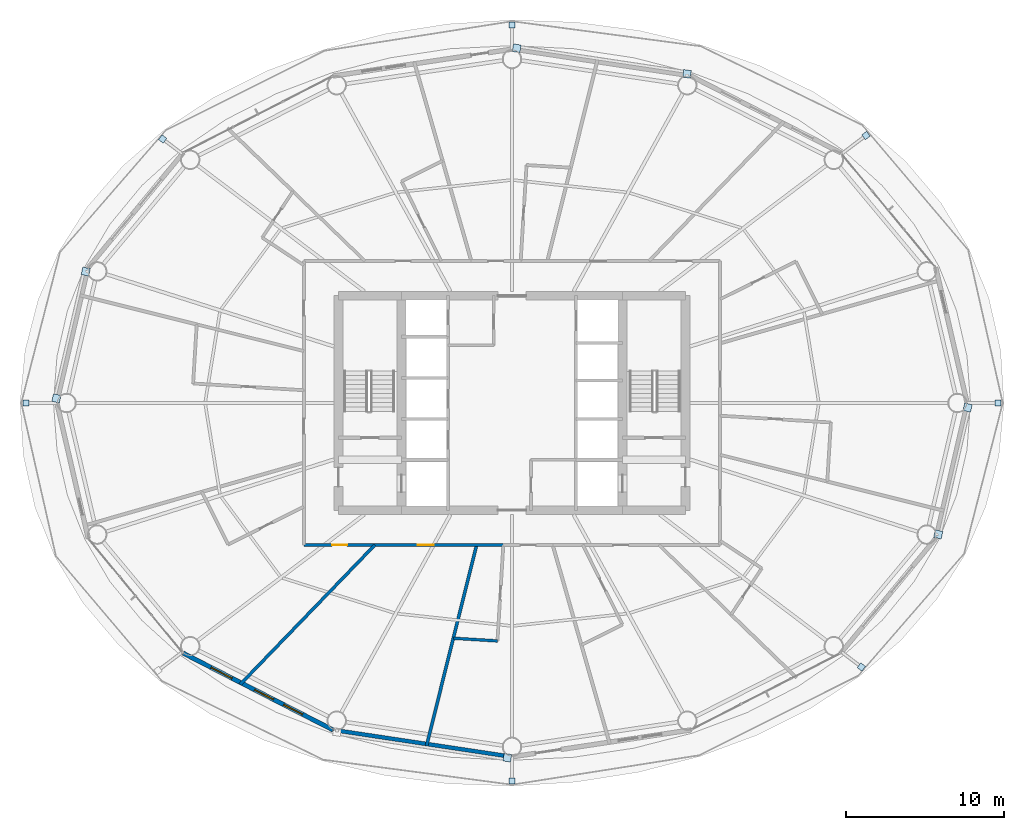
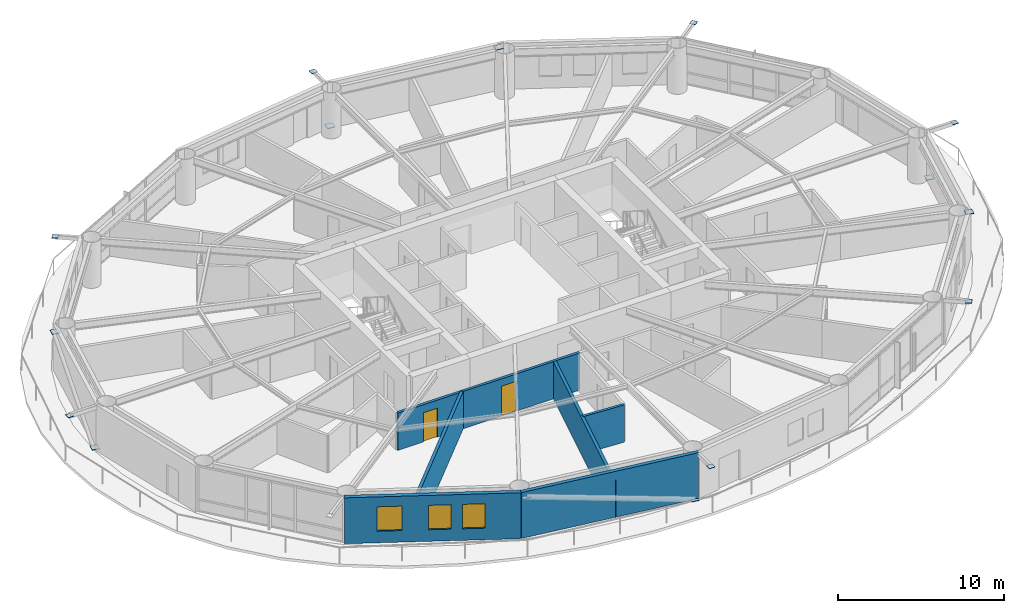
# One storey, part 17 of 24: 14 plates, 6 walls, 3 windows, 2 doors, 5 openings.
"""IFC4 building model written with IfcOpenShell, lengths in metres."""

import ifcopenshell
import ifcopenshell.guid

model = None  # the IFC model being written
_history = None  # IfcOwnerHistory: only IFC2X3 demands one
_inside = {}  # id of a spatial element -> (the spatial element, [elements in it])
_under = {}  # id of a project, library or spatial element -> (it, [spatial elements below it])
_declared = {}  # id of a project -> (the project, [libraries it declares])
_typed = {}  # id of a type object -> (the type object, [elements of that type])
_made_of = {}  # id of a material, layer set ... -> (it, [elements and type objects made of it])


def new_model(schema):
    """Start an empty IFC model of exactly this schema.

    Asked for "IFC4X3", IfcOpenShell would pick the latest addendum, in which some entities
    have other attributes; the version numbers below select the first issue.
    IFC2X3 requires an IfcOwnerHistory on every rooted entity: one is made here for all.
    """
    global model, _history
    if schema == "IFC4X3":
        model = ifcopenshell.file(schema_version=(4, 3, 0, 0))
    else:
        model = ifcopenshell.file(schema=schema)
    _inside.clear()
    _under.clear()
    _declared.clear()
    _typed.clear()
    _made_of.clear()
    _history = None
    if model.schema == "IFC2X3":
        org = make("IfcOrganization", Name="unknown")
        user = make(
            "IfcPersonAndOrganization",
            ThePerson=make("IfcPerson", FamilyName="unknown"),
            TheOrganization=org,
        )
        app = make(
            "IfcApplication",
            ApplicationDeveloper=org,
            Version="unknown",
            ApplicationFullName="unknown",
            ApplicationIdentifier="unknown",
        )
        _history = make(
            "IfcOwnerHistory",
            OwningUser=user,
            OwningApplication=app,
            ChangeAction="ADDED",
            CreationDate=0,
        )
    return model


def make(cls, **values):
    """One entity of the class cls with the attributes given. An attribute that is None is left unset."""
    return model.create_entity(
        cls, **{name: value for name, value in values.items() if value is not None}
    )


def rooted(cls, **values):
    """An entity with a GlobalId (a new one), such as an element, a storey or a relation."""
    return make(cls, GlobalId=ifcopenshell.guid.new(), OwnerHistory=_history, **values)


def si_unit(unit_type, name, prefix=None):
    """IfcSIUnit, for example si_unit("LENGTHUNIT", "METRE", prefix="MILLI")."""
    return make("IfcSIUnit", UnitType=unit_type, Prefix=prefix, Name=name)


def assignment(units):
    """IfcUnitAssignment: the units of a project."""
    return None if units is None else make("IfcUnitAssignment", Units=units)


def point(xyz):
    """IfcCartesianPoint."""
    return None if xyz is None else make("IfcCartesianPoint", Coordinates=xyz)


def direction(xyz):
    """IfcDirection."""
    return None if xyz is None else make("IfcDirection", DirectionRatios=xyz)


def frame(location, z_axis=None, x_axis=None):
    """IfcAxis2Placement3D, a coordinate frame: its origin and axes. An axis left out is left unset."""
    return make(
        "IfcAxis2Placement3D",
        Location=point(location),
        Axis=direction(z_axis),
        RefDirection=direction(x_axis),
    )


def frame_2d(location, x_axis=None):
    """IfcAxis2Placement2D, a coordinate frame in the plane: its origin and x axis."""
    return make(
        "IfcAxis2Placement2D", Location=point(location), RefDirection=direction(x_axis)
    )


def origin():
    """The frame at (0, 0, 0) with its axes left unset."""
    return frame((0.0, 0.0, 0.0))


def origin_2d():
    """The frame at (0, 0) in the plane with its x axis left unset."""
    return frame_2d((0.0, 0.0))


def place(relative_to, where):
    """IfcLocalPlacement: puts the frame where relative to a parent placement (None: the world)."""
    return make(
        "IfcLocalPlacement", PlacementRelTo=relative_to, RelativePlacement=where
    )


def context(
    kind, dimensions, precision=None, world=None, true_north=None, identifier=None
):
    """IfcGeometricRepresentationContext, for example the 3D "Model" context."""
    return make(
        "IfcGeometricRepresentationContext",
        ContextIdentifier=identifier,
        ContextType=kind,
        CoordinateSpaceDimension=dimensions,
        Precision=precision,
        WorldCoordinateSystem=world,
        TrueNorth=true_north,
    )


def subcontext(parent, identifier, kind, view, scale=None):
    """IfcGeometricRepresentationSubContext, for example "Body" below "Model"."""
    return make(
        "IfcGeometricRepresentationSubContext",
        ContextIdentifier=identifier,
        ContextType=kind,
        ParentContext=parent,
        TargetScale=scale,
        TargetView=view,
    )


def project(units=None, contexts=None):
    """IfcProject with its units and contexts."""
    return rooted(
        "IfcProject",
        Name="project",
        RepresentationContexts=contexts,
        UnitsInContext=assignment(units),
    )


def spatial(cls, under=None, at=None, **own):
    """A site, building, storey or space (cls), placed at a placement, below another one or the project."""
    s = rooted(cls, ObjectPlacement=at, **own)
    if under is not None:
        _under.setdefault(under.id(), (under, []))[1].append(s)
    return s


def profile(cls, at=None, kind="AREA", **sizes):
    """A parametric profile (cls). Its sizes go by their IFC names, for example OverallWidth=200.0."""
    return make(cls, ProfileType=kind, Position=at, **sizes)


def rectangle(**sizes):
    """IfcRectangleProfileDef."""
    return profile("IfcRectangleProfileDef", **sizes)


def extrude(swept, where, along, depth):
    """IfcExtrudedAreaSolid: the profile swept, set in the frame where, extruded along a direction by depth."""
    return make(
        "IfcExtrudedAreaSolid",
        SweptArea=swept,
        Position=where,
        ExtrudedDirection=direction(along),
        Depth=depth,
    )


def shape(context_of_items, identifier, shape_type, items):
    """IfcShapeRepresentation: the items that make up one representation, for example the "Body"."""
    return make(
        "IfcShapeRepresentation",
        ContextOfItems=context_of_items,
        RepresentationIdentifier=identifier,
        RepresentationType=shape_type,
        Items=items,
    )


def material(Name=None, Category=None):
    """IfcMaterial."""
    return make("IfcMaterial", Name=Name, Category=Category)


def layer(
    of_material, thickness, ventilated=None, Name=None, Category=None, Priority=None
):
    """IfcMaterialLayer: one layer of a wall or slab, of a material (None: an air gap)."""
    return make(
        "IfcMaterialLayer",
        Material=of_material,
        LayerThickness=thickness,
        IsVentilated=ventilated,
        Name=Name,
        Category=Category,
        Priority=Priority,
    )


def layer_set(layers, Name=None):
    """IfcMaterialLayerSet."""
    return make("IfcMaterialLayerSet", MaterialLayers=layers, LayerSetName=Name)


def made_of(thing, what):
    """Note that an element or type object is made of a material, layer set ...; save() writes the relation."""
    if what is not None:
        _made_of.setdefault(what.id(), (what, []))[1].append(thing)
    return thing


def type_object(cls, material=None, **own):
    """A type object (cls), such as IfcWallType, which elements share."""
    return made_of(rooted(cls, **own), material)


def element(
    cls,
    number,
    at=None,
    inside=None,
    cuts=None,
    type_object=None,
    material=None,
    context=None,
    identifier="Body",
    shape_type=None,
    held_by="IfcProductDefinitionShape",
    body=None,
    shapes=None,
    **own,
):
    """One element of the class cls, such as IfcWall. Its Tag is "e" and its number.

    at: its placement. inside: the storey or other place that contains it. cuts: it is an
    opening in that element (IfcRelVoidsElement). A single representation is given by context,
    identifier, shape_type and body (its items); several are given by shapes. held_by: the class
    of the entity that holds the representations. save() writes the other relations.
    """
    e = rooted(cls, Tag="e%d" % number, ObjectPlacement=at, **own)
    if body is not None:
        shapes = [shape(context, identifier, shape_type, body)]
    if shapes is not None:
        e.Representation = make(held_by, Representations=shapes)
    if inside is not None:
        _inside.setdefault(inside.id(), (inside, []))[1].append(e)
    if cuts is not None:
        rooted(
            "IfcRelVoidsElement", RelatingBuildingElement=cuts, RelatedOpeningElement=e
        )
    if type_object is not None:
        _typed.setdefault(type_object.id(), (type_object, []))[1].append(e)
    return made_of(e, material)


def fill(opening, filler):
    """IfcRelFillsElement: the door or window that sits in an opening."""
    return rooted(
        "IfcRelFillsElement",
        RelatingOpeningElement=opening,
        RelatedBuildingElement=filler,
    )


def aggregate(whole, parts):
    """IfcRelAggregates: a whole, such as a stair, and the parts it consists of."""
    return rooted("IfcRelAggregates", RelatingObject=whole, RelatedObjects=parts)


def save(model, path):
    """Write the relations noted so far, then the file.

    IfcRelAggregates (storeys below a building ...), IfcRelContainedInSpatialStructure (elements
    in a storey), IfcRelDefinesByType, IfcRelAssociatesMaterial and IfcRelDeclares: one each for
    every whole, place, type object, material and project.
    """
    for whole, parts in _under.values():
        aggregate(whole, parts)
    for where, things in _inside.values():
        rooted(
            "IfcRelContainedInSpatialStructure",
            RelatedElements=things,
            RelatingStructure=where,
        )
    for kind, things in _typed.values():
        rooted("IfcRelDefinesByType", RelatedObjects=things, RelatingType=kind)
    for what, things in _made_of.values():
        rooted("IfcRelAssociatesMaterial", RelatedObjects=things, RelatingMaterial=what)
    for by, libraries in _declared.values():
        rooted("IfcRelDeclares", RelatingContext=by, RelatedDefinitions=libraries)
    model.write(path)


model = new_model("IFC4")

# Units and contexts
model_context = context("Model", 3, precision=1e-05, world=origin(), true_north=direction((0.0, 1.0)))
body_context = subcontext(model_context, "Body", "Model", "MODEL_VIEW")
ifc_project = project(units=[si_unit("LENGTHUNIT", "METRE"), si_unit("AREAUNIT", "SQUARE_METRE"), si_unit("VOLUMEUNIT", "CUBIC_METRE"), si_unit("PLANEANGLEUNIT", "RADIAN"), si_unit("MASSUNIT", "GRAM", prefix="KILO")], contexts=[model_context])

# Site, building, storey
site_placement = place(None, origin())
site = spatial("IfcSite", under=ifc_project, at=site_placement, CompositionType="ELEMENT")
building_placement = place(site_placement, origin())
building = spatial("IfcBuilding", under=site, at=building_placement, Name="Sarneth Arch Tower", CompositionType="ELEMENT")
storey_placement = place(building_placement, frame((0.0, 0.0, 102.0)))
storey = spatial("IfcBuildingStorey", under=building, at=storey_placement, Name="L25", CompositionType="ELEMENT", Elevation=102.0)

# Plates
ifc_material_1 = material(Name="Steel S355", Category="steel")
ifc_layer_1 = layer(ifc_material_1, 0.035888671875)
ifc_layer_set_1 = layer_set([ifc_layer_1], Name="Steel S355")
plate_type = type_object("IfcPlateType", Name="PLT-GUSSET-30", PredefinedType="SHEET", material=ifc_layer_set_1)
for number, where, z_axis, x_axis, name in (
    (1, (78.81591796875, 42.0, 3.2021484375), (0.0, 0.0, 1.0), (1.0, 0.0, 0.0), "Steel end cap plate GP-1"),
    (2, (70.439208984375, 58.957763671875, 3.2021484375), (0.0, 0.0, 1.0), (0.797794439539, 0.602929541689, 0.0), "Steel end cap plate GP-1"),
):
    element("IfcPlate", number, at=place(storey_placement, frame(where, z_axis=z_axis, x_axis=x_axis)), inside=storey, type_object=plate_type, Name=name, PredefinedType="SHEET", context=body_context, shape_type="SweptSolid", body=[
        extrude(rectangle(XDim=0.3798828125, YDim=0.3798828125, at=origin_2d()), origin(), (0.0, 0.0, 1.0), 0.035888671875),
    ])
for number, where, z_axis, x_axis, name in (
    (3, (48.296630859375, 64.4853515625, 0.001953125), (0.0, 0.0, 1.0), (-0.988860535448, 0.148845024885, 0.0), "Steel end cap plate GP-1"),
    (4, (59.0927734375, 62.859619140625, 2.99462890625), (0.0, 0.0, 1.0), (-0.988860535448, 0.148845024885, 0.0), "Steel end cap plate GP-1"),
):
    element("IfcPlate", number, at=place(storey_placement, frame(where, z_axis=z_axis, x_axis=x_axis)), inside=storey, type_object=plate_type, Name=name, PredefinedType="SHEET", context=body_context, shape_type="SweptSolid", body=[
        extrude(rectangle(XDim=0.486083984375, YDim=0.486083984375, at=origin_2d()), origin(), (0.0, 0.0, 1.0), 0.035888671875),
    ])
for number, where, z_axis, x_axis, name in (
    (5, (48.0, 65.970703125, 3.2021484375), (0.0, 0.0, 1.0), (0.0, 1.0, 0.0), "Steel end cap plate GP-1"),
    (6, (25.854248046875, 58.73583984375, 3.2021484375), (0.0, 0.0, 1.0), (-0.797794439539, 0.602929541689, 0.0), "Steel end cap plate GP-1"),
):
    element("IfcPlate", number, at=place(storey_placement, frame(where, z_axis=z_axis, x_axis=x_axis)), inside=storey, type_object=plate_type, Name=name, PredefinedType="SHEET", context=body_context, shape_type="SweptSolid", body=[
        extrude(rectangle(XDim=0.3798828125, YDim=0.3798828125, at=origin_2d()), origin(), (0.0, 0.0, 1.0), 0.035888671875),
    ])
for number, where, z_axis, x_axis, name in (
    (7, (19.121337890625, 42.292236328125, 0.001953125), (0.0, 0.0, 1.0), (-0.225291159947, -0.974291482694, 0.0), "Steel end cap plate GP-1"),
    (8, (20.98046875, 50.32958984375, 2.99462890625), (0.0, 0.0, 1.0), (-0.225291159947, -0.974291482694, 0.0), "Steel end cap plate GP-1"),
):
    element("IfcPlate", number, at=place(storey_placement, frame(where, z_axis=z_axis, x_axis=x_axis)), inside=storey, type_object=plate_type, Name=name, PredefinedType="SHEET", context=body_context, shape_type="SweptSolid", body=[
        extrude(rectangle(XDim=0.486083984375, YDim=0.486083984375, at=origin_2d()), origin(), (0.0, 0.0, 1.0), 0.035888671875),
    ])
plate_1_placement = place(storey_placement, frame((17.18408203125, 42.0, 3.2021484375), z_axis=(0.0, 0.0, 1.0), x_axis=(-1.0, 0.0, 0.0)))
element("IfcPlate", 9, at=plate_1_placement, inside=storey, type_object=plate_type, Name="Steel end cap plate GP-1", PredefinedType="SHEET", context=body_context, shape_type="SweptSolid", body=[
    extrude(rectangle(XDim=0.3798828125, YDim=0.3798828125, at=origin_2d()), origin(), (0.0, 0.0, 1.0), 0.035888671875),
])
plate_2_placement = place(storey_placement, frame((47.703369140625, 19.5146484375, 0.001953125), z_axis=(0.0, 0.0, 1.0), x_axis=(0.988860535448, -0.148845024885, 0.0)))
element("IfcPlate", 10, at=plate_2_placement, inside=storey, type_object=plate_type, Name="Steel end cap plate GP-1", PredefinedType="SHEET", context=body_context, shape_type="SweptSolid", body=[
    extrude(rectangle(XDim=0.486083984375, YDim=0.486083984375, at=origin_2d()), origin(), (0.0, 0.0, 1.0), 0.035888671875),
])
for number, where, z_axis, x_axis, name in (
    (11, (48.0, 18.029296875, 3.2021484375), (0.0, 0.0, 1.0), (0.0, -1.0, 0.0), "Steel end cap plate GP-1"),
    (12, (70.145751953125, 25.26416015625, 3.2021484375), (0.0, 0.0, 1.0), (0.797794439539, -0.602929541689, 0.0), "Steel end cap plate GP-1"),
):
    element("IfcPlate", number, at=place(storey_placement, frame(where, z_axis=z_axis, x_axis=x_axis)), inside=storey, type_object=plate_type, Name=name, PredefinedType="SHEET", context=body_context, shape_type="SweptSolid", body=[
        extrude(rectangle(XDim=0.3798828125, YDim=0.3798828125, at=origin_2d()), origin(), (0.0, 0.0, 1.0), 0.035888671875),
    ])
for number, where, z_axis, x_axis, name in (
    (13, (76.878662109375, 41.707763671875, 0.001953125), (0.0, 0.0, 1.0), (0.225291159947, 0.974291482694, 0.0), "Steel end cap plate GP-1"),
    (14, (75.01953125, 33.67041015625, 2.99462890625), (0.0, 0.0, 1.0), (0.225291159947, 0.974291482694, 0.0), "Steel end cap plate GP-1"),
):
    element("IfcPlate", number, at=place(storey_placement, frame(where, z_axis=z_axis, x_axis=x_axis)), inside=storey, type_object=plate_type, Name=name, PredefinedType="SHEET", context=body_context, shape_type="SweptSolid", body=[
        extrude(rectangle(XDim=0.486083984375, YDim=0.486083984375, at=origin_2d()), origin(), (0.0, 0.0, 1.0), 0.035888671875),
    ])

# Wall, openings, doors
ifc_material_2 = material(Name="Double steel-stud corridor fire wall", Category="steel")
ifc_layer_2 = layer(ifc_material_2, 0.18994140625)
ifc_layer_set_2 = layer_set([ifc_layer_2], Name="Double steel-stud corridor fire wall")
wall_type_1 = type_object("IfcWallType", Name="WALL-CORR-190", PredefinedType="PARTITIONING", material=ifc_layer_set_2)
wall_1_placement = place(storey_placement, frame((47.481689453125, 33.0, 0.0), z_axis=(0.0, 0.0, 1.0), x_axis=(-1.0, 0.0, 0.0)))
wall_1 = element("IfcWall", 15, at=wall_1_placement, inside=storey, type_object=wall_type_1, Name="L25 Interior partition W-L25-TP-017", PredefinedType="PARTITIONING", context=body_context, shape_type="SweptSolid", body=[
    extrude(rectangle(XDim=12.681640625, YDim=0.18994140625, at=frame_2d((6.3408203125, 0.0))), origin(), (0.0, 0.0, 1.0), 2.739990234375),
])
opening_1_placement = place(wall_1_placement, frame((4.455078125, 0.0, 0.0)))
opening_1 = element("IfcOpeningElement", 16, at=opening_1_placement, cuts=wall_1, Name="Opening FD-08", PredefinedType="OPENING", context=body_context, shape_type="SweptSolid", body=[
    extrude(rectangle(XDim=1.0, YDim=2.199951171875, at=frame_2d((0.5, 1.10009765625))), frame((0.0, 0.10498046875, 0.0), z_axis=(0.0, -1.0, 0.0), x_axis=(1.0, 0.0, 0.0)), (0.0, 0.0, 1.0), 0.2099609375),
])
opening_2_placement = place(wall_1_placement, frame((9.929931640625, 0.0, 0.0)))
opening_2 = element("IfcOpeningElement", 17, at=opening_2_placement, cuts=wall_1, Name="Opening FD-09", PredefinedType="OPENING", context=body_context, shape_type="SweptSolid", body=[
    extrude(rectangle(XDim=0.949951171875, YDim=2.14990234375, at=frame_2d((0.47509765625, 1.074951171875))), frame((0.0, 0.10498046875, 0.0), z_axis=(0.0, -1.0, 0.0), x_axis=(1.0, 0.0, 0.0)), (0.0, 0.0, 1.0), 0.2099609375),
])
ifc_material_3 = material(Name="Hardwood timber acoustic fire door", Category="wood")
door_type_1 = type_object("IfcDoorType", Name="DR-FD60-1000", OperationType="SINGLE_SWING_LEFT", PredefinedType="DOOR", material=ifc_material_3)
door_1_placement = place(opening_1_placement, origin())
door_1 = element("IfcDoor", 18, at=door_1_placement, inside=storey, type_object=door_type_1, Name="L25 Interior door DR-L25-AMN-08", OperationType="SINGLE_SWING_LEFT", OverallHeight=2.199951171875, OverallWidth=1.0, PredefinedType="DOOR", context=body_context, shape_type="SweptSolid", body=[
    extrude(rectangle(XDim=1.0, YDim=2.199951171875, at=frame_2d((0.5, 1.10009765625))), frame((0.0, 0.02490234375, 0.0), z_axis=(0.0, -1.0, 0.0), x_axis=(1.0, 0.0, 0.0)), (0.0, 0.0, 1.0), 0.050048828125),
])
fill(opening_1, door_1)
ifc_material_4 = material(Name="Hardwood timber hotel entrance fire door", Category="wood")
door_type_2 = type_object("IfcDoorType", Name="DR-FD60-950", OperationType="SINGLE_SWING_RIGHT", PredefinedType="DOOR", material=ifc_material_4)
door_2_placement = place(opening_2_placement, origin())
door_2 = element("IfcDoor", 19, at=door_2_placement, inside=storey, type_object=door_type_2, Name="L25 Interior door DR-L25-KEY-07", OperationType="SINGLE_SWING_RIGHT", OverallHeight=2.14990234375, OverallWidth=0.949951171875, PredefinedType="DOOR", context=body_context, shape_type="SweptSolid", body=[
    extrude(rectangle(XDim=0.949951171875, YDim=2.14990234375, at=frame_2d((0.47509765625, 1.074951171875))), frame((0.0, 0.02490234375, 0.0), z_axis=(0.0, -1.0, 0.0), x_axis=(1.0, 0.0, 0.0)), (0.0, 0.0, 1.0), 0.050048828125),
])
fill(opening_2, door_2)

# Wall
ifc_material_5 = material(Name="Extruded terracotta rainscreen on Concrete C40/50 backing", Category="masonry")
ifc_layer_3 = layer(ifc_material_5, 0.25)
ifc_layer_set_3 = layer_set([ifc_layer_3], Name="Extruded terracotta rainscreen on Concrete C40/50 backing")
wall_type_2 = type_object("IfcWallType", Name="WALL-EXT-SPAND-250", PredefinedType="SOLIDWALL", material=ifc_layer_set_3)
wall_2_placement = place(storey_placement, frame((36.648681640625, 21.27734375, 0.0), z_axis=(0.0, 0.0, 1.0), x_axis=(0.988877774656, -0.148730450117, 0.0)))
element("IfcWall", 20, at=wall_2_placement, inside=storey, type_object=wall_type_2, Name="L25 Terracotta perimeter wall 12", PredefinedType="SOLIDWALL", context=body_context, shape_type="SweptSolid", body=[
    extrude(rectangle(XDim=11.47900390625, YDim=0.25, at=frame_2d((5.739501953125, 0.0))), origin(), (0.0, 0.0, 1.0), 3.3798828125),
])

# Wall, openings, windows
ifc_material_6 = material(Name="Extruded terracotta rainscreen on Concrete C40/50 backing", Category="masonry")
ifc_layer_4 = layer(ifc_material_6, 0.280029296875)
ifc_layer_set_4 = layer_set([ifc_layer_4], Name="Extruded terracotta rainscreen on Concrete C40/50 backing")
wall_type_3 = type_object("IfcWallType", Name="WALL-EXT-TERRA-280", PredefinedType="SOLIDWALL", material=ifc_layer_set_4)
wall_3_placement = place(storey_placement, frame((27.159912109375, 26.1396484375, 0.0), z_axis=(0.0, 0.0, 1.0), x_axis=(0.889959505023, -0.45603955905, 0.0)))
wall_3 = element("IfcWall", 21, at=wall_3_placement, inside=storey, type_object=wall_type_3, Name="L25 Terracotta perimeter wall 11", PredefinedType="SOLIDWALL", context=body_context, shape_type="SweptSolid", body=[
    extrude(rectangle(XDim=10.662109375, YDim=0.280029296875, at=frame_2d((5.3310546875, 0.0))), origin(), (0.0, 0.0, 1.0), 3.3798828125),
])
opening_3_placement = place(wall_3_placement, frame((1.978759765625, 0.0, 0.85009765625)))
opening_3 = element("IfcOpeningElement", 22, at=opening_3_placement, cuts=wall_3, Name="Opening W-07", PredefinedType="OPENING", context=body_context, shape_type="SweptSolid", body=[
    extrude(rectangle(XDim=1.5, YDim=1.800048828125, at=frame_2d((0.75, 0.89990234375))), frame((0.0, 0.14990234375, 0.0), z_axis=(0.0, -1.0, 0.0), x_axis=(1.0, 0.0, 0.0)), (0.0, 0.0, 1.0), 0.300048828125),
])
opening_4_placement = place(wall_3_placement, frame((5.081787109375, 0.0, 0.85009765625)))
opening_4 = element("IfcOpeningElement", 23, at=opening_4_placement, cuts=wall_3, Name="Opening W-08", PredefinedType="OPENING", context=body_context, shape_type="SweptSolid", body=[
    extrude(rectangle(XDim=1.35009765625, YDim=1.800048828125, at=frame_2d((0.675048828125, 0.89990234375))), frame((0.0, 0.14990234375, 0.0), z_axis=(0.0, -1.0, 0.0), x_axis=(1.0, 0.0, 0.0)), (0.0, 0.0, 1.0), 0.300048828125),
])
opening_5_placement = place(wall_3_placement, frame((7.146484375, 0.0, 0.85009765625)))
opening_5 = element("IfcOpeningElement", 24, at=opening_5_placement, cuts=wall_3, Name="Opening W-08", PredefinedType="OPENING", context=body_context, shape_type="SweptSolid", body=[
    extrude(rectangle(XDim=1.35009765625, YDim=1.800048828125, at=frame_2d((0.675048828125, 0.89990234375))), frame((0.0, 0.14990234375, 0.0), z_axis=(0.0, -1.0, 0.0), x_axis=(1.0, 0.0, 0.0)), (0.0, 0.0, 1.0), 0.300048828125),
])
ifc_material_7 = material(Name="Thermally broken Aluminium 6063-T6 and low-e laminated IGU", Category="aluminium")
window_type_1 = type_object("IfcWindowType", Name="WIN-TWR-1350x1800", PartitioningType="SINGLE_PANEL", PredefinedType="WINDOW", material=ifc_material_7)
window_1_placement = place(opening_4_placement, origin())
window_1 = element("IfcWindow", 25, at=window_1_placement, inside=storey, type_object=window_type_1, Name="L25 Exterior window 11B", OverallHeight=1.800048828125, OverallWidth=1.35009765625, PartitioningType="SINGLE_PANEL", PredefinedType="WINDOW", context=body_context, shape_type="SweptSolid", body=[
    extrude(rectangle(XDim=1.35009765625, YDim=1.800048828125, at=frame_2d((0.675048828125, 0.89990234375))), frame((0.0, 0.030029296875, 0.0), z_axis=(0.0, -1.0, 0.0), x_axis=(1.0, 0.0, 0.0)), (0.0, 0.0, 1.0), 0.06005859375),
])
fill(opening_4, window_1)
window_2_placement = place(opening_5_placement, origin())
window_2 = element("IfcWindow", 26, at=window_2_placement, inside=storey, type_object=window_type_1, Name="L25 Exterior window 11C", OverallHeight=1.800048828125, OverallWidth=1.35009765625, PartitioningType="SINGLE_PANEL", PredefinedType="WINDOW", context=body_context, shape_type="SweptSolid", body=[
    extrude(rectangle(XDim=1.35009765625, YDim=1.800048828125, at=frame_2d((0.675048828125, 0.89990234375))), frame((0.0, 0.030029296875, 0.0), z_axis=(0.0, -1.0, 0.0), x_axis=(1.0, 0.0, 0.0)), (0.0, 0.0, 1.0), 0.06005859375),
])
fill(opening_5, window_2)
ifc_material_8 = material(Name="Thermally broken Aluminium 6063-T6 and low-e laminated IGU", Category="aluminium")
window_type_2 = type_object("IfcWindowType", Name="WIN-TWR-1500x1800", PartitioningType="SINGLE_PANEL", PredefinedType="WINDOW", material=ifc_material_8)
window_3_placement = place(opening_3_placement, origin())
window_3 = element("IfcWindow", 27, at=window_3_placement, inside=storey, type_object=window_type_2, Name="L25 Exterior window 11A", OverallHeight=1.800048828125, OverallWidth=1.5, PartitioningType="SINGLE_PANEL", PredefinedType="WINDOW", context=body_context, shape_type="SweptSolid", body=[
    extrude(rectangle(XDim=1.5, YDim=1.800048828125, at=frame_2d((0.75, 0.89990234375))), frame((0.0, 0.030029296875, 0.0), z_axis=(0.0, -1.0, 0.0), x_axis=(1.0, 0.0, 0.0)), (0.0, 0.0, 1.0), 0.06005859375),
])
fill(opening_3, window_3)

# Walls
ifc_material_9 = material(Name="Moisture-resistant plumbing chase wall", Category="gypsum")
ifc_layer_5 = layer(ifc_material_9, 0.179931640625)
ifc_layer_set_5 = layer_set([ifc_layer_5], Name="Moisture-resistant plumbing chase wall")
wall_type_4 = type_object("IfcWallType", Name="WALL-PLUMB-180", PredefinedType="PLUMBINGWALL", material=ifc_layer_set_5)
wall_4_placement = place(storey_placement, frame((44.28173828125, 27.087158203125, 0.0), z_axis=(0.0, 0.0, 1.0), x_axis=(0.998136779925, -0.061016133608, 0.0)))
element("IfcWall", 28, at=wall_4_placement, inside=storey, type_object=wall_type_4, Name="L25 Interior partition W-L25-TP-055", PredefinedType="PLUMBINGWALL", context=body_context, shape_type="SweptSolid", body=[
    extrude(rectangle(XDim=2.80078125, YDim=0.179931640625, at=frame_2d((1.400390625, 0.0))), origin(), (0.0, 0.0, 1.0), 2.739990234375),
])
ifc_material_10 = material(Name="Double steel-stud acoustic drywall", Category="steel")
ifc_layer_6 = layer(ifc_material_10, 0.199951171875)
ifc_layer_set_6 = layer_set([ifc_layer_6], Name="Double steel-stud acoustic drywall")
wall_type_5 = type_object("IfcWallType", Name="WALL-UNIT-200", PredefinedType="PARTITIONING", material=ifc_layer_set_6)
wall_5_placement = place(storey_placement, frame((30.771728515625, 24.159912109375, 0.0), z_axis=(0.0, 0.0, 1.0), x_axis=(0.694672506389, 0.719326149161, 0.0)))
element("IfcWall", 29, at=wall_5_placement, inside=storey, type_object=wall_type_5, Name="L25 Interior partition W-L25-TP-052", PredefinedType="PARTITIONING", context=body_context, shape_type="SweptSolid", body=[
    extrude(rectangle(XDim=12.289306640625, YDim=0.199951171875, at=frame_2d((6.14453125, 0.0))), origin(), (0.0, 0.0, 1.0), 2.739990234375),
])
wall_6_placement = place(storey_placement, frame((45.756103515625, 33.0, 0.0), z_axis=(0.0, 0.0, 1.0), x_axis=(-0.241918476077, -0.970296578852, 0.0)))
element("IfcWall", 30, at=wall_6_placement, inside=storey, type_object=wall_type_5, Name="L25 Interior partition W-L25-TP-053", PredefinedType="PARTITIONING", context=body_context, shape_type="SweptSolid", body=[
    extrude(rectangle(XDim=13.12548828125, YDim=0.199951171875, at=frame_2d((6.562744140625, 0.0))), origin(), (0.0, 0.0, 1.0), 2.739990234375),
])

save(model, "model.ifc")
